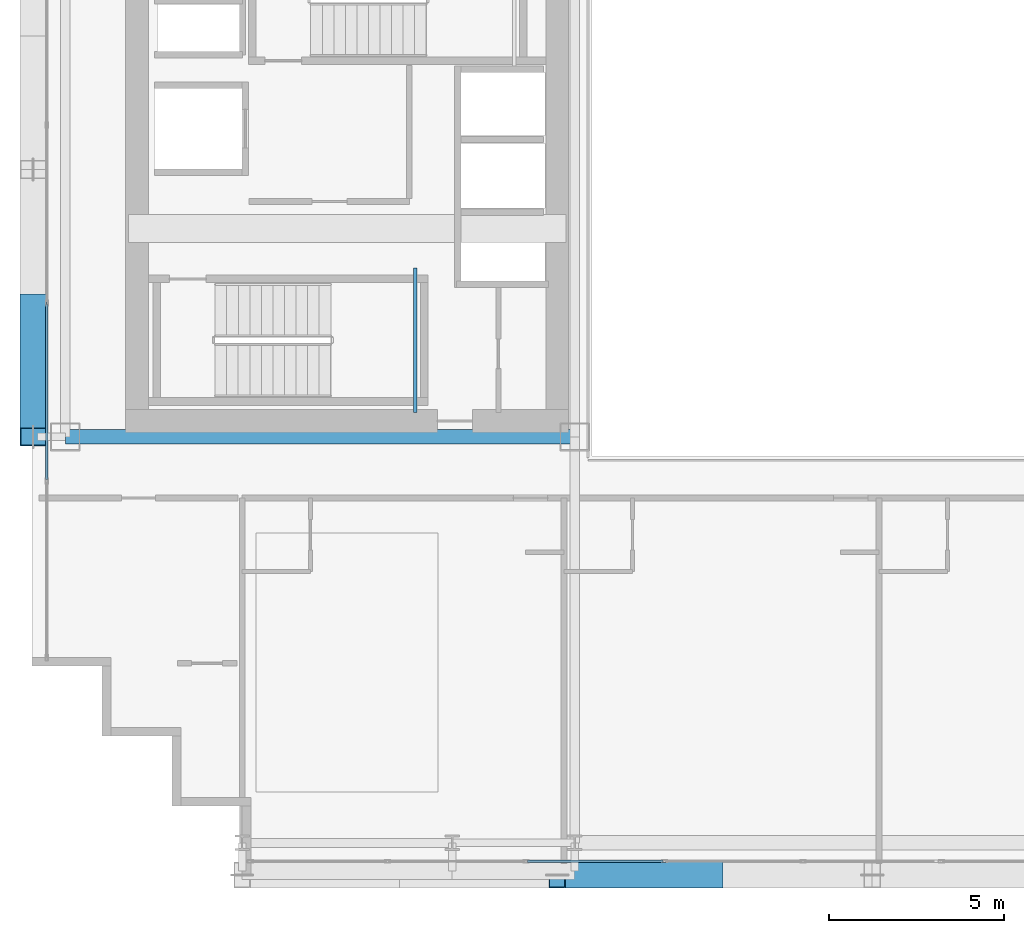
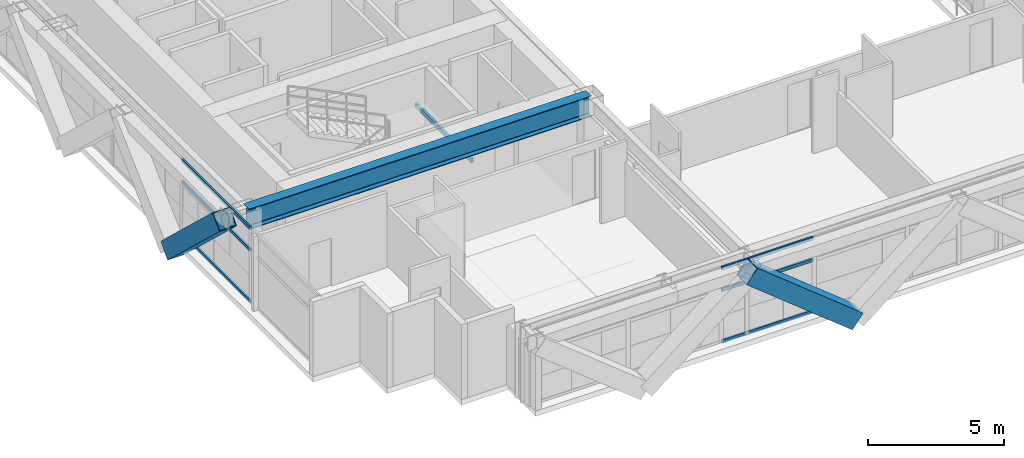
# One storey, part 4 of 35: 8 members, 2 beams, 2 elements without a shape of their own.
"""IFC4 building model written with IfcOpenShell, lengths in metres."""

from ifc_helpers import new_model, si_unit, direction, frame, origin, origin_2d, place, context, subcontext, project, spatial, hollow_rectangle, i_section, extrude, source, transform, mapped, material, layer, layer_set, material_profile, profile_set, type_object, element, aggregate, save


model = new_model("IFC4")

# Units and contexts
model_context = context("Model", 3, precision=1e-05, world=origin(), true_north=direction((0.0, 1.0)))
body_context = subcontext(model_context, "Body", "Model", "MODEL_VIEW")
ifc_project = project(units=[si_unit("LENGTHUNIT", "METRE"), si_unit("AREAUNIT", "SQUARE_METRE"), si_unit("VOLUMEUNIT", "CUBIC_METRE"), si_unit("PLANEANGLEUNIT", "RADIAN"), si_unit("MASSUNIT", "GRAM", prefix="KILO")], contexts=[model_context])

# Site, building, storey
site_placement = place(None, origin())
site = spatial("IfcSite", under=ifc_project, at=site_placement, CompositionType="ELEMENT")
building_placement = place(site_placement, origin())
building = spatial("IfcBuilding", under=site, at=building_placement, Name="Ocotamira Hotel", CompositionType="ELEMENT")
storey_placement = place(building_placement, frame((0.0, 0.0, 115.199951171875)))
storey = spatial("IfcBuildingStorey", under=building, at=storey_placement, Name="L28", CompositionType="ELEMENT", Elevation=115.199951171875)

# Beams
ifc_material_1 = material(Name="Steel ASTM A500 Grade C", Category="steel")
ifc_material_profile_1 = material_profile(ifc_material_1, hollow_rectangle(XDim=0.10009765625, YDim=0.199951171875, WallThickness=0.008056640625, at=origin_2d()), Name="HSS200X100X8")
ifc_profile_set_1 = profile_set([ifc_material_profile_1], Name="Steel ASTM A500 Grade C")
beam_type_1 = type_object("IfcBeamType", Name="BM-STLDG-HSS200", PredefinedType="BEAM", material=ifc_profile_set_1)
shared_shape_1 = source(origin(), body_context, "Body", "SweptSolid", [
    extrude(hollow_rectangle(XDim=0.10009765625, YDim=0.199951171875, WallThickness=0.008056640625, at=origin_2d()), origin(), (0.0, 0.0, 1.0), 4.1201171875),
])
beam_1_placement = place(storey_placement, frame((18.949951171875, 15.25, 1.5), z_axis=(0.0, 1.0, 0.0), x_axis=(-1.0, 0.0, 0.0)))
element("IfcBeam", 1, at=beam_1_placement, inside=storey, type_object=beam_type_1, Name="L28 Stair ST-1 Landing Bearer 1", PredefinedType="BEAM", context=body_context, shape_type="MappedRepresentation", body=[
    mapped(shared_shape_1, transform((0.0, 0.0, 0.0), scale=1.0)),
])
ifc_material_2 = material(Name="Steel ASTM A992 Grade 50", Category="steel")
ifc_material_profile_2 = material_profile(ifc_material_2, i_section(OverallWidth=0.41796875, OverallDepth=0.927001953125, WebThickness=0.019287109375, FlangeThickness=0.031982421875, FilletRadius=0.02392578125, at=origin_2d()), Name="W36X231")
ifc_profile_set_2 = profile_set([ifc_material_profile_2], Name="Steel ASTM A992 Grade 50")
beam_type_2 = type_object("IfcBeamType", Name="BM-GIRD-W36X231", PredefinedType="BEAM", material=ifc_profile_set_2)
shared_shape_2 = source(origin(), body_context, "Body", "SweptSolid", [
    extrude(i_section(OverallWidth=0.41796875, OverallDepth=0.927001953125, WebThickness=0.019287109375, FlangeThickness=0.031982421875, FilletRadius=0.02392578125, at=origin_2d()), origin(), (0.0, 0.0, 1.0), 14.550048828125),
])
beam_2_placement = place(storey_placement, frame((8.949951171875, 14.550048828125, 2.896484375), z_axis=(1.0, 0.0, 0.0), x_axis=(0.0, 1.0, 0.0)))
element("IfcBeam", 2, at=beam_2_placement, inside=storey, type_object=beam_type_2, Name="L28 Girder Y14.55 X8.95-23.5", PredefinedType="BEAM", context=body_context, shape_type="MappedRepresentation", body=[
    mapped(shared_shape_2, transform((0.0, 0.0, 0.0), scale=1.0)),
])

# Members
ifc_material_3 = material(Name="Pale-metal coated steel ASTM A913 Grade 65", Category="steel")
ifc_material_profile_3 = material_profile(ifc_material_3, hollow_rectangle(XDim=0.75, YDim=0.75, WallThickness=0.028076171875, at=origin_2d()), Name="BOX750X750X28")
ifc_profile_set_3 = profile_set([ifc_material_profile_3], Name="Pale-metal coated steel ASTM A913 Grade 65")
member_type_1 = type_object("IfcMemberType", Name="MEM-EXO-BOX750", PredefinedType="BRACE", material=ifc_profile_set_3)
shared_shape_3 = source(origin(), body_context, "Body", "SweptSolid", [
    extrude(hollow_rectangle(XDim=0.75, YDim=0.75, WallThickness=0.028076171875, at=origin_2d()), origin(), (0.0, 0.0, 1.0), 5.762939453125),
])
member_1_placement = place(storey_placement, frame((27.5, 2.030029296875, -0.489990234375), z_axis=(-0.780860543151, 0.0, 0.624705380279), x_axis=(0.0, -1.0, 0.0)))
element("IfcMember", 3, at=member_1_placement, inside=storey, type_object=member_type_1, Name="L28 Exoskeleton Diagrid S1.1", PredefinedType="BRACE", context=body_context, shape_type="MappedRepresentation", body=[
    mapped(shared_shape_3, transform((0.0, 0.0, 0.0), scale=1.0)),
])
shared_shape_4 = source(origin(), body_context, "Body", "SweptSolid", [
    extrude(hollow_rectangle(XDim=0.75, YDim=0.75, WallThickness=0.028076171875, at=origin_2d()), origin(), (0.0, 0.0, 1.0), 5.24658203125),
])
member_2_placement = place(storey_placement, frame((8.030029296875, 18.36669921875, -0.489990234375), z_axis=(0.0, -0.727442733726, 0.686168397078), x_axis=(1.0, 0.0, 0.0)))
element("IfcMember", 4, at=member_2_placement, inside=storey, type_object=member_type_1, Name="L28 Exoskeleton Diagrid W0.1", PredefinedType="BRACE", context=body_context, shape_type="MappedRepresentation", body=[
    mapped(shared_shape_4, transform((0.0, 0.0, 0.0), scale=1.0)),
])

# Curtain wall, members
ifc_material_4 = material(Name="Anodised pale-metal aluminium and solar glass", Category="aluminium")
ifc_layer = layer(ifc_material_4, 0.179931640625)
ifc_layer_set = layer_set([ifc_layer], Name="Anodised pale-metal aluminium and solar glass")
curtain_wall_type = type_object("IfcCurtainWallType", Name="CW-SYS3-Z2", PredefinedType="NOTDEFINED", material=ifc_layer_set)
curtain_wall_1_placement = place(storey_placement, origin())
curtain_wall_1 = element("IfcCurtainWall", 5, at=curtain_wall_1_placement, inside=storey, type_object=curtain_wall_type, Name="L28 Curtain Wall CW-3 CW-L28-S1", PredefinedType="NOTDEFINED")
ifc_material_5 = material(Name="Anodised pale-metal aluminium 6063-T6", Category="aluminium")
ifc_material_profile_4 = material_profile(ifc_material_5, hollow_rectangle(XDim=0.074951171875, YDim=0.14990234375, WallThickness=0.006103515625, at=origin_2d()), Name="HSS150X75X6")
ifc_profile_set_4 = profile_set([ifc_material_profile_4], Name="Anodised pale-metal aluminium 6063-T6")
member_type_2 = type_object("IfcMemberType", Name="CWT-150X75", PredefinedType="USERDEFINED", material=ifc_profile_set_4)
shared_shape_5 = source(origin(), body_context, "Body", "SweptSolid", [
    extrude(hollow_rectangle(XDim=0.074951171875, YDim=0.14990234375, WallThickness=0.006103515625, at=origin_2d()), origin(), (0.0, 0.0, 1.0), 3.87548828125),
])
member_3_placement = place(storey_placement, frame((22.151123046875, 2.419921875, 0.03759765625), z_axis=(1.0, 0.0, 0.0), x_axis=(0.0, 1.0, 0.0)))
member_3 = element("IfcMember", 6, at=member_3_placement, type_object=member_type_2, Name="CW-3 transom 3.1", ObjectType="TRANSOM", PredefinedType="USERDEFINED", context=body_context, shape_type="MappedRepresentation", body=[
    mapped(shared_shape_5, transform((0.0, 0.0, 0.0), scale=1.0)),
])
member_4_placement = place(storey_placement, frame((22.151123046875, 2.419921875, 2.35009765625), z_axis=(1.0, 0.0, 0.0), x_axis=(0.0, 1.0, 0.0)))
member_4 = element("IfcMember", 7, at=member_4_placement, type_object=member_type_2, Name="CW-3 transom 3.2", ObjectType="TRANSOM", PredefinedType="USERDEFINED", context=body_context, shape_type="MappedRepresentation", body=[
    mapped(shared_shape_5, transform((0.0, 0.0, 0.0), scale=1.0)),
])
member_5_placement = place(storey_placement, frame((22.151123046875, 2.419921875, 3.322509765625), z_axis=(1.0, 0.0, 0.0), x_axis=(0.0, 1.0, 0.0)))
member_5 = element("IfcMember", 8, at=member_5_placement, type_object=member_type_2, Name="CW-3 transom 3.3", ObjectType="TRANSOM", PredefinedType="USERDEFINED", context=body_context, shape_type="MappedRepresentation", body=[
    mapped(shared_shape_5, transform((0.0, 0.0, 0.0), scale=1.0)),
])
aggregate(curtain_wall_1, [member_3, member_4, member_5])

curtain_wall_2_placement = place(storey_placement, origin())
curtain_wall_2 = element("IfcCurtainWall", 9, at=curtain_wall_2_placement, inside=storey, type_object=curtain_wall_type, Name="L28 Curtain Wall CW-3 CW-L28-W", PredefinedType="NOTDEFINED")
shared_shape_6 = source(origin(), body_context, "Body", "SweptSolid", [
    extrude(hollow_rectangle(XDim=0.074951171875, YDim=0.14990234375, WallThickness=0.006103515625, at=origin_2d()), origin(), (0.0, 0.0, 1.0), 5.005859375),
])
member_6_placement = place(storey_placement, frame((8.419921875, 13.32568359375, 0.03759765625), z_axis=(0.0, 1.0, 0.0), x_axis=(-1.0, 0.0, 0.0)))
member_6 = element("IfcMember", 10, at=member_6_placement, type_object=member_type_2, Name="CW-3 transom 2.1", ObjectType="TRANSOM", PredefinedType="USERDEFINED", context=body_context, shape_type="MappedRepresentation", body=[
    mapped(shared_shape_6, transform((0.0, 0.0, 0.0), scale=1.0)),
])
member_7_placement = place(storey_placement, frame((8.419921875, 13.32568359375, 2.35009765625), z_axis=(0.0, 1.0, 0.0), x_axis=(-1.0, 0.0, 0.0)))
member_7 = element("IfcMember", 11, at=member_7_placement, type_object=member_type_2, Name="CW-3 transom 2.2", ObjectType="TRANSOM", PredefinedType="USERDEFINED", context=body_context, shape_type="MappedRepresentation", body=[
    mapped(shared_shape_6, transform((0.0, 0.0, 0.0), scale=1.0)),
])
member_8_placement = place(storey_placement, frame((8.419921875, 13.32568359375, 3.322509765625), z_axis=(0.0, 1.0, 0.0), x_axis=(-1.0, 0.0, 0.0)))
member_8 = element("IfcMember", 12, at=member_8_placement, type_object=member_type_2, Name="CW-3 transom 2.3", ObjectType="TRANSOM", PredefinedType="USERDEFINED", context=body_context, shape_type="MappedRepresentation", body=[
    mapped(shared_shape_6, transform((0.0, 0.0, 0.0), scale=1.0)),
])
aggregate(curtain_wall_2, [member_6, member_7, member_8])

save(model, "model.ifc")
